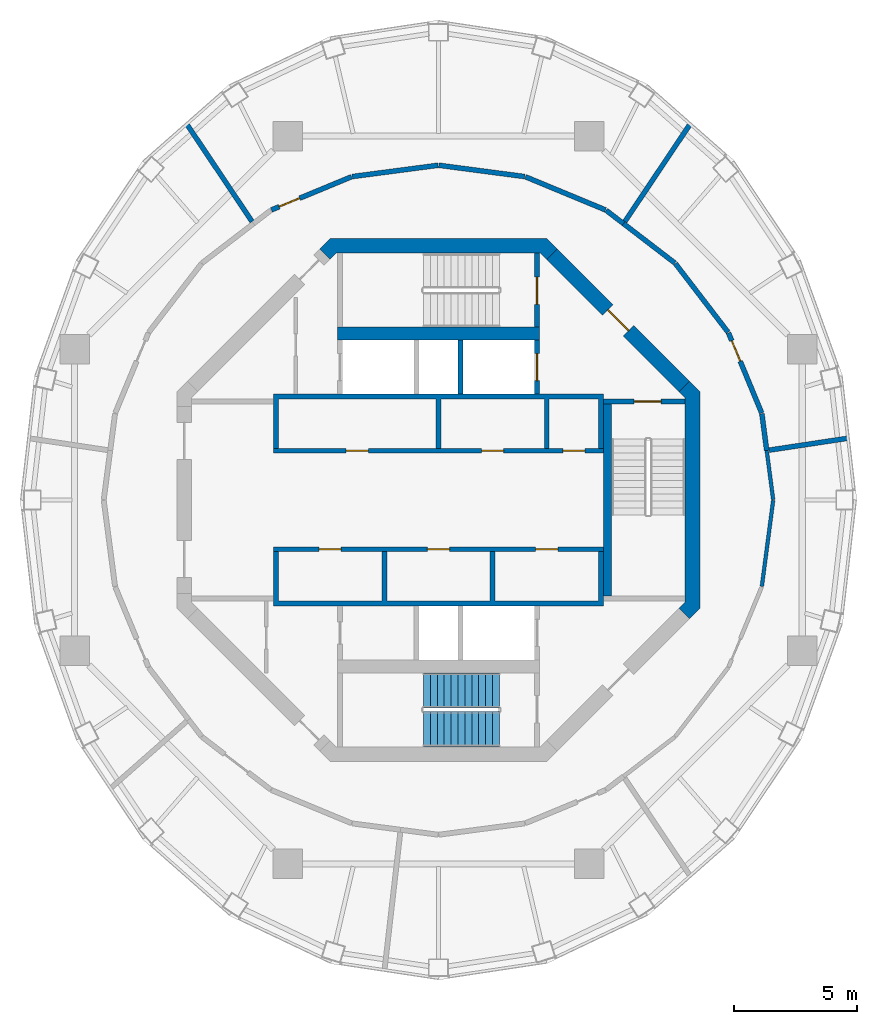
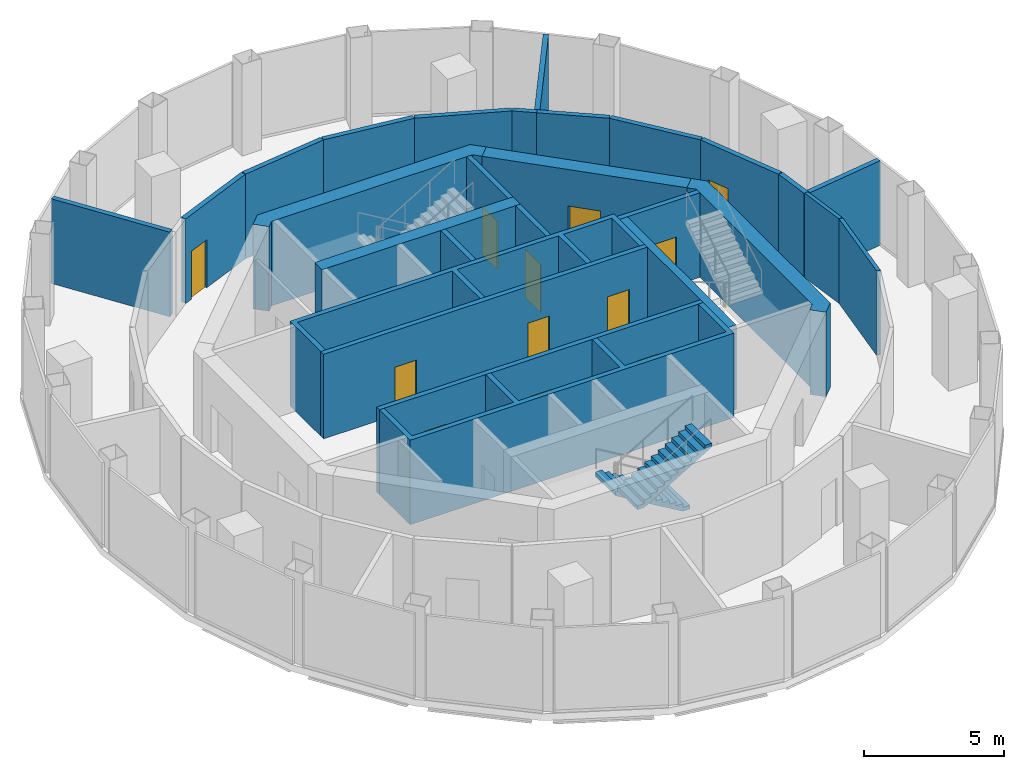
# One storey, part 9 of 11: 27 walls, 12 doors, 2 stair flights, 12 openings, 1 element without a shape of its own.
"""IFC4 building model written with IfcOpenShell, lengths in metres."""

from ifc_helpers import new_model, si_unit, direction, frame, frame_2d, origin, place, context, subcontext, project, spatial, polyline, rectangle, outline, extrude, material, layer, layer_set, type_object, element, fill, aggregate, save


model = new_model("IFC4")

# Units and contexts
model_context = context("Model", 3, precision=1e-05, world=origin(), true_north=direction((0.0, 1.0)))
body_context = subcontext(model_context, "Body", "Model", "MODEL_VIEW")
ifc_project = project(units=[si_unit("LENGTHUNIT", "METRE"), si_unit("AREAUNIT", "SQUARE_METRE"), si_unit("VOLUMEUNIT", "CUBIC_METRE"), si_unit("PLANEANGLEUNIT", "RADIAN"), si_unit("MASSUNIT", "GRAM", prefix="KILO")], contexts=[model_context])

# Site, building, storey
site_placement = place(None, origin())
site = spatial("IfcSite", under=ifc_project, at=site_placement, CompositionType="ELEMENT")
building_placement = place(site_placement, origin())
building = spatial("IfcBuilding", under=site, at=building_placement, Name="Nagisa Residences", CompositionType="ELEMENT")
storey_placement = place(building_placement, frame((0.0, 0.0, 336.89990234375)))
storey = spatial("IfcBuildingStorey", under=building, at=storey_placement, Name="L83", CompositionType="ELEMENT", Elevation=336.89990234375)

# Wall, opening, door
ifc_material_1 = material(Name="Concrete C60", Category="concrete")
ifc_layer_1 = layer(ifc_material_1, 0.60009765625)
ifc_layer_set_1 = layer_set([ifc_layer_1], Name="Core shear wall 600")
wall_type_1 = type_object("IfcWallType", Name="Core shear wall 600", PredefinedType="SHEAR", material=ifc_layer_set_1)
wall_1_placement = place(storey_placement, frame((9.98828125, 4.613037109375, 0.0), z_axis=(0.0, 0.0, 1.0), x_axis=(-0.707106781187, 0.707106781187, 0.0)))
wall_1 = element("IfcWall", 1, at=wall_1_placement, inside=storey, type_object=wall_type_1, Name="wall:L83:core:flat1", PredefinedType="SHEAR", context=body_context, shape_type="SweptSolid", body=[
    extrude(rectangle(XDim=7.601806640625, YDim=0.60009765625, at=frame_2d((3.80078125, 0.0))), origin(), (0.0, 0.0, 1.0), 3.7001953125),
])
opening_1_placement = place(wall_1_placement, frame((3.200927734375, 0.0, 0.0)))
opening_1 = element("IfcOpeningElement", 2, at=opening_1_placement, cuts=wall_1, Name="Opening L83-C16", PredefinedType="OPENING", context=body_context, shape_type="SweptSolid", body=[
    extrude(rectangle(XDim=1.199951171875, YDim=2.10009765625, at=frame_2d((0.60009765625, 1.050048828125))), frame((0.0, 0.31005859375, 0.0), z_axis=(0.0, -1.0, 0.0), x_axis=(1.0, 0.0, 0.0)), (0.0, 0.0, 1.0), 0.6201171875),
])
ifc_material_2 = material(Name="Steel fire door", Category="steel")
door_type_1 = type_object("IfcDoorType", Name="Fire door EI60 1200x2100 single swing", OperationType="NOTDEFINED", PredefinedType="DOOR", material=ifc_material_2)
door_1_placement = place(opening_1_placement, origin())
door_1 = element("IfcDoor", 3, at=door_1_placement, inside=storey, type_object=door_type_1, Name="Firefighting lobby 1 door L83", OperationType="SINGLE_SWING_RIGHT", OverallHeight=2.10009765625, OverallWidth=1.199951171875, PredefinedType="DOOR", context=body_context, shape_type="SweptSolid", body=[
    extrude(rectangle(XDim=1.199951171875, YDim=2.10009765625, at=frame_2d((0.60009765625, 1.050048828125))), frame((0.0, 0.02490234375, 0.0), z_axis=(0.0, -1.0, 0.0), x_axis=(1.0, 0.0, 0.0)), (0.0, 0.0, 1.0), 0.050048828125),
])
fill(opening_1, door_1)

# Walls
wall_2_placement = place(storey_placement, origin())
element("IfcWall", 4, at=wall_2_placement, inside=storey, type_object=wall_type_1, Name="wall:L83:core:flat2", PredefinedType="SHEAR", context=body_context, shape_type="SweptSolid", body=[
    extrude(outline(polyline([(-4.15234375, 10.024658203125), (-4.40087890625, 9.776123046875), (-4.8251953125, 10.200439453125), (-4.40087890625, 10.62451171875), (4.40087890625, 10.62451171875), (4.8251953125, 10.200439453125), (4.40087890625, 9.776123046875), (4.15234375, 10.024658203125), (-4.15234375, 10.024658203125)])), origin(), (0.0, 0.0, 1.0), 3.7001953125),
])
wall_3_placement = place(storey_placement, origin())
element("IfcWall", 5, at=wall_3_placement, inside=storey, type_object=wall_type_1, Name="wall:L83:core:flat0", PredefinedType="SHEAR", context=body_context, shape_type="SweptSolid", body=[
    extrude(outline(polyline([(9.776123046875, -4.40087890625), (10.024658203125, -4.15234375), (10.024658203125, -3.801025390625), (10.024658203125, 4.15234375), (9.776123046875, 4.40087890625), (10.200439453125, 4.8251953125), (10.62451171875, 4.40087890625), (10.62451171875, -4.40087890625), (10.200439453125, -4.8251953125), (9.776123046875, -4.40087890625)])), origin(), (0.0, 0.0, 1.0), 3.7001953125),
])

# Wall, opening, door
ifc_material_3 = material(Name="Concrete C60", Category="concrete")
ifc_layer_2 = layer(ifc_material_3, 0.199951171875)
ifc_layer_set_2 = layer_set([ifc_layer_2], Name="Lift shaft wall 200")
wall_type_2 = type_object("IfcWallType", Name="Lift shaft wall 200", PredefinedType="SOLIDWALL", material=ifc_layer_set_2)
wall_4_placement = place(storey_placement, frame((4.0, 4.300048828125, 0.0), z_axis=(0.0, 0.0, 1.0), x_axis=(0.0, 1.0, 0.0)))
wall_4 = element("IfcWall", 6, at=wall_4_placement, inside=storey, type_object=wall_type_2, Name="wall:L83:Nb3", PredefinedType="SOLIDWALL", context=body_context, shape_type="SweptSolid", body=[
    extrude(rectangle(XDim=2.199951171875, YDim=0.199951171875, at=frame_2d((1.10009765625, 0.0))), origin(), (0.0, 0.0, 1.0), 3.7001953125),
])
opening_2_placement = place(wall_4_placement, frame((0.550048828125, 0.0, 0.0)))
opening_2 = element("IfcOpeningElement", 7, at=opening_2_placement, cuts=wall_4, Name="Opening L83-C01", PredefinedType="OPENING", context=body_context, shape_type="SweptSolid", body=[
    extrude(rectangle(XDim=1.10009765625, YDim=2.10009765625, at=frame_2d((0.550048828125, 1.050048828125))), frame((0.0, 0.10986328125, 0.0), z_axis=(0.0, -1.0, 0.0), x_axis=(1.0, 0.0, 0.0)), (0.0, 0.0, 1.0), 0.219970703125),
])
ifc_material_4 = material(Name="Stainless steel", Category="steel")
door_type_2 = type_object("IfcDoorType", Name="Lift landing door 1100x2100", OperationType="DOUBLE_DOOR_SLIDING", PredefinedType="DOOR", material=ifc_material_4)
door_2_placement = place(opening_2_placement, origin())
door_2 = element("IfcDoor", 8, at=door_2_placement, inside=storey, type_object=door_type_2, Name="Landing door FL1 L83", OperationType="DOUBLE_DOOR_SLIDING", OverallHeight=2.10009765625, OverallWidth=1.10009765625, PredefinedType="DOOR", context=body_context, shape_type="SweptSolid", body=[
    extrude(rectangle(XDim=1.10009765625, YDim=2.10009765625, at=frame_2d((0.550048828125, 1.050048828125))), frame((0.0, 0.02490234375, 0.0), z_axis=(0.0, -1.0, 0.0), x_axis=(1.0, 0.0, 0.0)), (0.0, 0.0, 1.0), 0.050048828125),
])
fill(opening_2, door_2)

# Wall, openings, doors
wall_5_placement = place(storey_placement, frame((-6.699951171875, 2.0, 0.0), z_axis=(0.0, 0.0, 1.0), x_axis=(1.0, 0.0, 0.0)))
wall_5 = element("IfcWall", 9, at=wall_5_placement, inside=storey, type_object=wall_type_2, Name="wall:L83:Nfront", PredefinedType="SOLIDWALL", context=body_context, shape_type="SweptSolid", body=[
    extrude(rectangle(XDim=13.39990234375, YDim=0.199951171875, at=frame_2d((6.699951171875, 0.0))), origin(), (0.0, 0.0, 1.0), 3.7001953125),
])
opening_3_placement = place(wall_5_placement, frame((2.949951171875, 0.0, 0.0)))
opening_3 = element("IfcOpeningElement", 10, at=opening_3_placement, cuts=wall_5, Name="Opening L83-C10", PredefinedType="OPENING", context=body_context, shape_type="SweptSolid", body=[
    extrude(rectangle(XDim=0.89990234375, YDim=2.10009765625, at=frame_2d((0.449951171875, 1.050048828125))), frame((0.0, 0.10986328125, 0.0), z_axis=(0.0, -1.0, 0.0), x_axis=(1.0, 0.0, 0.0)), (0.0, 0.0, 1.0), 0.219970703125),
])
opening_4_placement = place(wall_5_placement, frame((8.449951171875, 0.0, 0.0)))
opening_4 = element("IfcOpeningElement", 11, at=opening_4_placement, cuts=wall_5, Name="Opening L83-C11", PredefinedType="OPENING", context=body_context, shape_type="SweptSolid", body=[
    extrude(rectangle(XDim=0.89990234375, YDim=2.10009765625, at=frame_2d((0.449951171875, 1.050048828125))), frame((0.0, 0.10986328125, 0.0), z_axis=(0.0, -1.0, 0.0), x_axis=(1.0, 0.0, 0.0)), (0.0, 0.0, 1.0), 0.219970703125),
])
opening_5_placement = place(wall_5_placement, frame((11.75, 0.0, 0.0)))
opening_5 = element("IfcOpeningElement", 12, at=opening_5_placement, cuts=wall_5, Name="Opening L83-C12", PredefinedType="OPENING", context=body_context, shape_type="SweptSolid", body=[
    extrude(rectangle(XDim=0.89990234375, YDim=2.10009765625, at=frame_2d((0.449951171875, 1.050048828125))), frame((0.0, 0.10986328125, 0.0), z_axis=(0.0, -1.0, 0.0), x_axis=(1.0, 0.0, 0.0)), (0.0, 0.0, 1.0), 0.219970703125),
])
ifc_material_5 = material(Name="Steel fire door", Category="steel")
door_type_3 = type_object("IfcDoorType", Name="Fire door EI30 900x2100 single swing", OperationType="NOTDEFINED", PredefinedType="DOOR", material=ifc_material_5)
door_3_placement = place(opening_3_placement, origin())
door_3 = element("IfcDoor", 13, at=door_3_placement, inside=storey, type_object=door_type_3, Name="Pump store door L83", OperationType="SINGLE_SWING_RIGHT", OverallHeight=2.10009765625, OverallWidth=0.89990234375, PredefinedType="DOOR", context=body_context, shape_type="SweptSolid", body=[
    extrude(rectangle(XDim=0.89990234375, YDim=2.10009765625, at=frame_2d((0.449951171875, 1.050048828125))), frame((0.0, 0.02490234375, 0.0), z_axis=(0.0, -1.0, 0.0), x_axis=(1.0, 0.0, 0.0)), (0.0, 0.0, 1.0), 0.050048828125),
])
fill(opening_3, door_3)
door_4_placement = place(opening_4_placement, origin())
door_4 = element("IfcDoor", 14, at=door_4_placement, inside=storey, type_object=door_type_3, Name="Battery room door L83", OperationType="SINGLE_SWING_RIGHT", OverallHeight=2.10009765625, OverallWidth=0.89990234375, PredefinedType="DOOR", context=body_context, shape_type="SweptSolid", body=[
    extrude(rectangle(XDim=0.89990234375, YDim=2.10009765625, at=frame_2d((0.449951171875, 1.050048828125))), frame((0.0, 0.02490234375, 0.0), z_axis=(0.0, -1.0, 0.0), x_axis=(1.0, 0.0, 0.0)), (0.0, 0.0, 1.0), 0.050048828125),
])
fill(opening_4, door_4)
door_5_placement = place(opening_5_placement, origin())
door_5 = element("IfcDoor", 15, at=door_5_placement, inside=storey, type_object=door_type_3, Name="Pump store door L83", OperationType="SINGLE_SWING_LEFT", OverallHeight=2.10009765625, OverallWidth=0.89990234375, PredefinedType="DOOR", context=body_context, shape_type="SweptSolid", body=[
    extrude(rectangle(XDim=0.89990234375, YDim=2.10009765625, at=frame_2d((0.449951171875, 1.050048828125))), frame((0.0, 0.02490234375, 0.0), z_axis=(0.0, -1.0, 0.0), x_axis=(1.0, 0.0, 0.0)), (0.0, 0.0, 1.0), 0.050048828125),
])
fill(opening_5, door_5)

wall_6_placement = place(storey_placement, frame((-6.699951171875, -2.0, 0.0), z_axis=(0.0, 0.0, 1.0), x_axis=(1.0, 0.0, 0.0)))
wall_6 = element("IfcWall", 16, at=wall_6_placement, inside=storey, type_object=wall_type_2, Name="wall:L83:Sfront", PredefinedType="SOLIDWALL", context=body_context, shape_type="SweptSolid", body=[
    extrude(rectangle(XDim=13.39990234375, YDim=0.199951171875, at=frame_2d((6.699951171875, 0.0))), origin(), (0.0, 0.0, 1.0), 3.7001953125),
])
opening_6_placement = place(wall_6_placement, frame((1.85009765625, 0.0, 0.0)))
opening_6 = element("IfcOpeningElement", 17, at=opening_6_placement, cuts=wall_6, Name="Opening L83-C13", PredefinedType="OPENING", context=body_context, shape_type="SweptSolid", body=[
    extrude(rectangle(XDim=0.89990234375, YDim=2.10009765625, at=frame_2d((0.449951171875, 1.050048828125))), frame((0.0, 0.10986328125, 0.0), z_axis=(0.0, -1.0, 0.0), x_axis=(1.0, 0.0, 0.0)), (0.0, 0.0, 1.0), 0.219970703125),
])
opening_7_placement = place(wall_6_placement, frame((6.25, 0.0, 0.0)))
opening_7 = element("IfcOpeningElement", 18, at=opening_7_placement, cuts=wall_6, Name="Opening L83-C14", PredefinedType="OPENING", context=body_context, shape_type="SweptSolid", body=[
    extrude(rectangle(XDim=0.89990234375, YDim=2.10009765625, at=frame_2d((0.449951171875, 1.050048828125))), frame((0.0, 0.10986328125, 0.0), z_axis=(0.0, -1.0, 0.0), x_axis=(1.0, 0.0, 0.0)), (0.0, 0.0, 1.0), 0.219970703125),
])
opening_8_placement = place(wall_6_placement, frame((10.64990234375, 0.0, 0.0)))
opening_8 = element("IfcOpeningElement", 19, at=opening_8_placement, cuts=wall_6, Name="Opening L83-C15", PredefinedType="OPENING", context=body_context, shape_type="SweptSolid", body=[
    extrude(rectangle(XDim=0.89990234375, YDim=2.10009765625, at=frame_2d((0.449951171875, 1.050048828125))), frame((0.0, 0.10986328125, 0.0), z_axis=(0.0, -1.0, 0.0), x_axis=(1.0, 0.0, 0.0)), (0.0, 0.0, 1.0), 0.219970703125),
])
door_6_placement = place(opening_6_placement, frame((0.89990234375, 0.0, 0.0), x_axis=(-1.0, 0.0, 0.0)))
door_6 = element("IfcDoor", 20, at=door_6_placement, inside=storey, type_object=door_type_3, Name="Battery room door L83", OperationType="SINGLE_SWING_LEFT", OverallHeight=2.10009765625, OverallWidth=0.89990234375, PredefinedType="DOOR", context=body_context, shape_type="SweptSolid", body=[
    extrude(rectangle(XDim=0.89990234375, YDim=2.10009765625, at=frame_2d((0.449951171875, 1.050048828125))), frame((0.0, 0.02490234375, 0.0), z_axis=(0.0, -1.0, 0.0), x_axis=(1.0, 0.0, 0.0)), (0.0, 0.0, 1.0), 0.050048828125),
])
fill(opening_6, door_6)
door_7_placement = place(opening_7_placement, frame((0.89990234375, 0.0, 0.0), x_axis=(-1.0, 0.0, 0.0)))
door_7 = element("IfcDoor", 21, at=door_7_placement, inside=storey, type_object=door_type_3, Name="Pump store door L83", OperationType="SINGLE_SWING_LEFT", OverallHeight=2.10009765625, OverallWidth=0.89990234375, PredefinedType="DOOR", context=body_context, shape_type="SweptSolid", body=[
    extrude(rectangle(XDim=0.89990234375, YDim=2.10009765625, at=frame_2d((0.449951171875, 1.050048828125))), frame((0.0, 0.02490234375, 0.0), z_axis=(0.0, -1.0, 0.0), x_axis=(1.0, 0.0, 0.0)), (0.0, 0.0, 1.0), 0.050048828125),
])
fill(opening_7, door_7)
door_8_placement = place(opening_8_placement, frame((0.89990234375, 0.0, 0.0), x_axis=(-1.0, 0.0, 0.0)))
door_8 = element("IfcDoor", 22, at=door_8_placement, inside=storey, type_object=door_type_3, Name="Battery room door L83", OperationType="SINGLE_SWING_RIGHT", OverallHeight=2.10009765625, OverallWidth=0.89990234375, PredefinedType="DOOR", context=body_context, shape_type="SweptSolid", body=[
    extrude(rectangle(XDim=0.89990234375, YDim=2.10009765625, at=frame_2d((0.449951171875, 1.050048828125))), frame((0.0, 0.02490234375, 0.0), z_axis=(0.0, -1.0, 0.0), x_axis=(1.0, 0.0, 0.0)), (0.0, 0.0, 1.0), 0.050048828125),
])
fill(opening_8, door_8)

# Walls
wall_7_placement = place(storey_placement, origin())
element("IfcWall", 23, at=wall_7_placement, inside=storey, type_object=wall_type_2, Name="wall:L83:Sback", PredefinedType="SOLIDWALL", context=body_context, shape_type="SweptSolid", body=[
    extrude(outline(polyline([(-6.699951171875, -2.10009765625), (-6.5, -2.10009765625), (-6.5, -4.10009765625), (-2.300048828125, -4.10009765625), (-2.300048828125, -2.10009765625), (-2.10009765625, -2.10009765625), (-2.10009765625, -4.10009765625), (2.10009765625, -4.10009765625), (2.10009765625, -2.10009765625), (2.300048828125, -2.10009765625), (2.300048828125, -4.10009765625), (6.5, -4.10009765625), (6.5, -2.10009765625), (6.699951171875, -2.10009765625), (6.699951171875, -4.300048828125), (-6.699951171875, -4.300048828125), (-6.699951171875, -2.10009765625)])), origin(), (0.0, 0.0, 1.0), 3.7001953125),
])
wall_8_placement = place(storey_placement, frame((0.89990234375, 4.300048828125, 0.0), z_axis=(0.0, 0.0, 1.0), x_axis=(0.0, 1.0, 0.0)))
element("IfcWall", 24, at=wall_8_placement, inside=storey, type_object=wall_type_2, Name="wall:L83:Nb2", PredefinedType="SOLIDWALL", context=body_context, shape_type="SweptSolid", body=[
    extrude(rectangle(XDim=2.199951171875, YDim=0.199951171875, at=frame_2d((1.10009765625, 0.0))), origin(), (0.0, 0.0, 1.0), 3.7001953125),
])
wall_9_placement = place(storey_placement, origin())
element("IfcWall", 25, at=wall_9_placement, inside=storey, type_object=wall_type_2, Name="wall:L83:Nback", PredefinedType="SOLIDWALL", context=body_context, shape_type="SweptSolid", body=[
    extrude(outline(polyline([(-6.699951171875, 4.300048828125), (6.699951171875, 4.300048828125), (6.699951171875, 2.10009765625), (6.5, 2.10009765625), (6.5, 4.10009765625), (4.5, 4.10009765625), (4.5, 2.10009765625), (4.300048828125, 2.10009765625), (4.300048828125, 4.10009765625), (0.10009765625, 4.10009765625), (0.10009765625, 2.10009765625), (-0.10009765625, 2.10009765625), (-0.10009765625, 4.10009765625), (-6.5, 4.10009765625), (-6.5, 2.10009765625), (-6.699951171875, 2.10009765625), (-6.699951171875, 4.300048828125)])), origin(), (0.0, 0.0, 1.0), 3.7001953125),
])
ifc_material_6 = material(Name="Gypsum board on steel studs", Category="steel")
ifc_layer_3 = layer(ifc_material_6, 0.199951171875)
ifc_layer_set_3 = layer_set([ifc_layer_3], Name="Plant room wall EI120 200")
wall_type_3 = type_object("IfcWallType", Name="Plant room wall EI120 200", PredefinedType="PARTITIONING", material=ifc_layer_set_3)
wall_10_placement = place(storey_placement, frame((-7.572265625, 11.311279296875, 0.0), z_axis=(0.0, 0.0, 1.0), x_axis=(-0.55629198168, 0.830986901893, 0.0)))
element("IfcWall", 26, at=wall_10_placement, inside=storey, type_object=wall_type_3, Name="wall:L83:am016", PredefinedType="PARTITIONING", context=body_context, shape_type="SweptSolid", body=[
    extrude(rectangle(XDim=4.73974609375, YDim=0.199951171875, at=frame_2d((2.369873046875, 0.0))), origin(), (0.0, 0.0, 1.0), 3.7001953125),
])

# Wall, opening, door
wall_11_placement = place(storey_placement, frame((-6.785888671875, 11.78369140625, 0.0), z_axis=(0.0, 0.0, 1.0), x_axis=(0.92386297064, 0.382723413813, 0.0)))
wall_11 = element("IfcWall", 27, at=wall_11_placement, inside=storey, type_object=wall_type_3, Name="wall:L83:am019", PredefinedType="PARTITIONING", context=body_context, shape_type="SweptSolid", body=[
    extrude(rectangle(XDim=3.52001953125, YDim=0.199951171875, at=frame_2d((1.760009765625, 0.0))), origin(), (0.0, 0.0, 1.0), 3.7001953125),
])
opening_9_placement = place(wall_11_placement, frame((0.34228515625, 0.0, 0.0)))
opening_9 = element("IfcOpeningElement", 28, at=opening_9_placement, cuts=wall_11, Name="Opening L83-A02", PredefinedType="OPENING", context=body_context, shape_type="SweptSolid", body=[
    extrude(rectangle(XDim=0.89990234375, YDim=2.10009765625, at=frame_2d((0.449951171875, 1.050048828125))), frame((0.0, 0.10986328125, 0.0), z_axis=(0.0, -1.0, 0.0), x_axis=(1.0, 0.0, 0.0)), (0.0, 0.0, 1.0), 0.219970703125),
])
ifc_material_7 = material(Name="Steel fire door", Category="steel")
door_type_4 = type_object("IfcDoorType", Name="Fire door EI120 900x2100 single swing", OperationType="NOTDEFINED", PredefinedType="DOOR", material=ifc_material_7)
door_9_placement = place(opening_9_placement, origin())
door_9 = element("IfcDoor", 29, at=door_9_placement, inside=storey, type_object=door_type_4, Name="Rainwater tank room door", OperationType="SINGLE_SWING_RIGHT", OverallHeight=2.10009765625, OverallWidth=0.89990234375, PredefinedType="DOOR", context=body_context, shape_type="SweptSolid", body=[
    extrude(rectangle(XDim=0.89990234375, YDim=2.10009765625, at=frame_2d((0.449951171875, 1.050048828125))), frame((0.0, 0.02490234375, 0.0), z_axis=(0.0, -1.0, 0.0), x_axis=(1.0, 0.0, 0.0)), (0.0, 0.0, 1.0), 0.050048828125),
])
fill(opening_9, door_9)

# Walls
for number, where, z_axis, x_axis, name in (
    (30, (-3.5048828125, 13.138671875, 0.0), (0.0, 0.0, 1.0), (0.991452406768, 0.130468866457, 0.0), "wall:L83:am021"),
    (31, (0.01513671875, 13.597900390625, 0.0), (0.0, 0.0, 1.0), (0.991452406768, -0.130468866457, 0.0), "wall:L83:am025"),
):
    element("IfcWall", number, at=place(storey_placement, frame(where, z_axis=z_axis, x_axis=x_axis)), inside=storey, type_object=wall_type_3, Name=name, PredefinedType="PARTITIONING", context=body_context, shape_type="SweptSolid", body=[
        extrude(rectangle(XDim=3.519775390625, YDim=0.199951171875, at=frame_2d((1.759765625, 0.0))), origin(), (0.0, 0.0, 1.0), 3.7001953125),
    ])
wall_12_placement = place(storey_placement, frame((3.533935546875, 13.130859375, 0.0), z_axis=(0.0, 0.0, 1.0), x_axis=(0.92386297064, -0.382723413813, 0.0)))
element("IfcWall", 32, at=wall_12_placement, inside=storey, type_object=wall_type_3, Name="wall:L83:am027", PredefinedType="PARTITIONING", context=body_context, shape_type="SweptSolid", body=[
    extrude(rectangle(XDim=3.52001953125, YDim=0.199951171875, at=frame_2d((1.760009765625, 0.0))), origin(), (0.0, 0.0, 1.0), 3.7001953125),
])
wall_13_placement = place(storey_placement, frame((6.81201171875, 11.7685546875, 0.0), z_axis=(0.0, 0.0, 1.0), x_axis=(0.793420478802, -0.608673922407, 0.0)))
element("IfcWall", 33, at=wall_13_placement, inside=storey, type_object=wall_type_3, Name="wall:L83:am029", PredefinedType="PARTITIONING", context=body_context, shape_type="SweptSolid", body=[
    extrude(rectangle(XDim=0.887939453125, YDim=0.199951171875, at=frame_2d((0.44384765625, 0.0))), origin(), (0.0, 0.0, 1.0), 3.7001953125),
])
wall_14_placement = place(storey_placement, frame((7.5166015625, 11.22802734375, 0.0), z_axis=(0.0, 0.0, 1.0), x_axis=(0.793395797287, -0.608706093979, 0.0)))
element("IfcWall", 34, at=wall_14_placement, inside=storey, type_object=wall_type_3, Name="wall:L83:am031", PredefinedType="PARTITIONING", context=body_context, shape_type="SweptSolid", body=[
    extrude(rectangle(XDim=2.6318359375, YDim=0.199951171875, at=frame_2d((1.31591796875, 0.0))), origin(), (0.0, 0.0, 1.0), 3.7001953125),
])
wall_15_placement = place(storey_placement, frame((7.572265625, 11.311279296875, 0.0), z_axis=(0.0, 0.0, 1.0), x_axis=(0.55629198168, 0.830986901893, 0.0)))
element("IfcWall", 35, at=wall_15_placement, inside=storey, type_object=wall_type_3, Name="wall:L83:am032", PredefinedType="PARTITIONING", context=body_context, shape_type="SweptSolid", body=[
    extrude(rectangle(XDim=4.73974609375, YDim=0.199951171875, at=frame_2d((2.369873046875, 0.0))), origin(), (0.0, 0.0, 1.0), 3.7001953125),
])
wall_16_placement = place(storey_placement, frame((9.6259765625, 9.604736328125, 0.0), z_axis=(0.0, 0.0, 1.0), x_axis=(0.608697977542, -0.793402024283, 0.0)))
element("IfcWall", 36, at=wall_16_placement, inside=storey, type_object=wall_type_3, Name="wall:L83:am033", PredefinedType="PARTITIONING", context=body_context, shape_type="SweptSolid", body=[
    extrude(rectangle(XDim=3.52001953125, YDim=0.199951171875, at=frame_2d((1.760009765625, 0.0))), origin(), (0.0, 0.0, 1.0), 3.7001953125),
])

# Wall, opening, door
wall_17_placement = place(storey_placement, frame((11.78369140625, 6.785888671875, 0.0), z_axis=(0.0, 0.0, 1.0), x_axis=(0.382723413813, -0.92386297064, 0.0)))
wall_17 = element("IfcWall", 37, at=wall_17_placement, inside=storey, type_object=wall_type_3, Name="wall:L83:am035", PredefinedType="PARTITIONING", context=body_context, shape_type="SweptSolid", body=[
    extrude(rectangle(XDim=3.52001953125, YDim=0.199951171875, at=frame_2d((1.760009765625, 0.0))), origin(), (0.0, 0.0, 1.0), 3.7001953125),
])
opening_10_placement = place(wall_17_placement, frame((0.34228515625, 0.0, 0.0)))
opening_10 = element("IfcOpeningElement", 38, at=opening_10_placement, cuts=wall_17, Name="Opening L83-A01", PredefinedType="OPENING", context=body_context, shape_type="SweptSolid", body=[
    extrude(rectangle(XDim=0.89990234375, YDim=2.10009765625, at=frame_2d((0.449951171875, 1.050048828125))), frame((0.0, 0.10986328125, 0.0), z_axis=(0.0, -1.0, 0.0), x_axis=(1.0, 0.0, 0.0)), (0.0, 0.0, 1.0), 0.219970703125),
])
door_10_placement = place(opening_10_placement, origin())
door_10 = element("IfcDoor", 39, at=door_10_placement, inside=storey, type_object=door_type_4, Name="Make-up air plant room door", OperationType="SINGLE_SWING_LEFT", OverallHeight=2.10009765625, OverallWidth=0.89990234375, PredefinedType="DOOR", context=body_context, shape_type="SweptSolid", body=[
    extrude(rectangle(XDim=0.89990234375, YDim=2.10009765625, at=frame_2d((0.449951171875, 1.050048828125))), frame((0.0, 0.02490234375, 0.0), z_axis=(0.0, -1.0, 0.0), x_axis=(1.0, 0.0, 0.0)), (0.0, 0.0, 1.0), 0.050048828125),
])
fill(opening_10, door_10)

# Walls
wall_18_placement = place(storey_placement, frame((13.138671875, 3.5048828125, 0.0), z_axis=(0.0, 0.0, 1.0), x_axis=(0.130391662061, -0.99146256332, 0.0)))
element("IfcWall", 40, at=wall_18_placement, inside=storey, type_object=wall_type_3, Name="wall:L83:am036", PredefinedType="PARTITIONING", context=body_context, shape_type="SweptSolid", body=[
    extrude(rectangle(XDim=1.50732421875, YDim=0.199951171875, at=frame_2d((0.753662109375, 0.0))), origin(), (0.0, 0.0, 1.0), 3.7001953125),
])
wall_19_placement = place(storey_placement, frame((13.43408203125, 2.025390625, 0.0), z_axis=(0.0, 0.0, 1.0), x_axis=(0.988817905908, 0.149127961685, 0.0)))
element("IfcWall", 41, at=wall_19_placement, inside=storey, type_object=wall_type_3, Name="wall:L83:am037", PredefinedType="PARTITIONING", context=body_context, shape_type="SweptSolid", body=[
    extrude(rectangle(XDim=3.213623046875, YDim=0.199951171875, at=frame_2d((1.60693359375, 0.0))), origin(), (0.0, 0.0, 1.0), 3.7001953125),
])
ifc_material_8 = material(Name="Gypsum board on steel studs", Category="steel")
ifc_layer_4 = layer(ifc_material_8, 0.14990234375)
ifc_layer_set_4 = layer_set([ifc_layer_4], Name="Room partition EI60 150")
wall_type_4 = type_object("IfcWallType", Name="Room partition EI60 150", PredefinedType="PARTITIONING", material=ifc_layer_set_4)
wall_20_placement = place(storey_placement, frame((13.335205078125, 2.010498046875, 0.0), z_axis=(0.0, 0.0, 1.0), x_axis=(0.130545357325, -0.991442338051, 0.0)))
element("IfcWall", 42, at=wall_20_placement, inside=storey, type_object=wall_type_4, Name="wall:L83:am003", PredefinedType="PARTITIONING", context=body_context, shape_type="SweptSolid", body=[
    extrude(rectangle(XDim=2.01611328125, YDim=0.14990234375, at=frame_2d((1.008056640625, 0.0))), origin(), (0.0, 0.0, 1.0), 3.7001953125),
])
wall_21_placement = place(storey_placement, frame((13.598388671875, -0.01171875, 0.0), z_axis=(0.0, 0.0, 1.0), x_axis=(-0.130499283623, -0.991448403586, 0.0)))
element("IfcWall", 43, at=wall_21_placement, inside=storey, type_object=wall_type_4, Name="wall:L83:am004", PredefinedType="PARTITIONING", context=body_context, shape_type="SweptSolid", body=[
    extrude(rectangle(XDim=3.526611328125, YDim=0.14990234375, at=frame_2d((1.76318359375, 0.0))), origin(), (0.0, 0.0, 1.0), 3.7001953125),
])

# Wall, opening, door
ifc_material_9 = material(Name="Concrete C60", Category="concrete")
ifc_layer_5 = layer(ifc_material_9, 0.199951171875)
ifc_layer_set_5 = layer_set([ifc_layer_5], Name="Stair enclosure wall 200")
wall_type_5 = type_object("IfcWallType", Name="Stair enclosure wall 200", PredefinedType="SOLIDWALL", material=ifc_layer_set_5)
wall_22_placement = place(storey_placement, frame((6.699951171875, 4.0, 0.0), z_axis=(0.0, 0.0, 1.0), x_axis=(1.0, 0.0, 0.0)))
wall_22 = element("IfcWall", 44, at=wall_22_placement, inside=storey, type_object=wall_type_5, Name="wall:L83:SE_n", PredefinedType="SOLIDWALL", context=body_context, shape_type="SweptSolid", body=[
    extrude(rectangle(XDim=3.32470703125, YDim=0.199951171875, at=frame_2d((1.662353515625, 0.0))), origin(), (0.0, 0.0, 1.0), 3.7001953125),
])
opening_11_placement = place(wall_22_placement, frame((1.25, 0.0, 0.0)))
opening_11 = element("IfcOpeningElement", 45, at=opening_11_placement, cuts=wall_22, Name="Opening L83-C04", PredefinedType="OPENING", context=body_context, shape_type="SweptSolid", body=[
    extrude(rectangle(XDim=1.10009765625, YDim=2.10009765625, at=frame_2d((0.550048828125, 1.050048828125))), frame((0.0, 0.10986328125, 0.0), z_axis=(0.0, -1.0, 0.0), x_axis=(1.0, 0.0, 0.0)), (0.0, 0.0, 1.0), 0.219970703125),
])
ifc_material_10 = material(Name="Steel fire door", Category="steel")
door_type_5 = type_object("IfcDoorType", Name="Fire door EI90 1100x2100 single swing", OperationType="NOTDEFINED", PredefinedType="DOOR", material=ifc_material_10)
door_11_placement = place(opening_11_placement, frame((1.10009765625, 0.0, 0.0), x_axis=(-1.0, 0.0, 0.0)))
door_11 = element("IfcDoor", 46, at=door_11_placement, inside=storey, type_object=door_type_5, Name="Stair door ST-E L83", OperationType="SINGLE_SWING_LEFT", OverallHeight=2.10009765625, OverallWidth=1.10009765625, PredefinedType="DOOR", context=body_context, shape_type="SweptSolid", body=[
    extrude(rectangle(XDim=1.10009765625, YDim=2.10009765625, at=frame_2d((0.550048828125, 1.050048828125))), frame((0.0, 0.02490234375, 0.0), z_axis=(0.0, -1.0, 0.0), x_axis=(1.0, 0.0, 0.0)), (0.0, 0.0, 1.0), 0.050048828125),
])
fill(opening_11, door_11)

wall_23_placement = place(storey_placement, frame((4.0, 7.024658203125, 0.0), z_axis=(0.0, 0.0, 1.0), x_axis=(0.0, 1.0, 0.0)))
wall_23 = element("IfcWall", 47, at=wall_23_placement, inside=storey, type_object=wall_type_5, Name="wall:L83:SN_e", PredefinedType="SOLIDWALL", context=body_context, shape_type="SweptSolid", body=[
    extrude(rectangle(XDim=3.0, YDim=0.199951171875, at=frame_2d((1.5, 0.0))), origin(), (0.0, 0.0, 1.0), 3.7001953125),
])
opening_12_placement = place(wall_23_placement, frame((0.92529296875, 0.0, 0.0)))
opening_12 = element("IfcOpeningElement", 48, at=opening_12_placement, cuts=wall_23, Name="Opening L83-C05", PredefinedType="OPENING", context=body_context, shape_type="SweptSolid", body=[
    extrude(rectangle(XDim=1.10009765625, YDim=2.10009765625, at=frame_2d((0.550048828125, 1.050048828125))), frame((0.0, 0.10986328125, 0.0), z_axis=(0.0, -1.0, 0.0), x_axis=(1.0, 0.0, 0.0)), (0.0, 0.0, 1.0), 0.219970703125),
])
door_12_placement = place(opening_12_placement, origin())
door_12 = element("IfcDoor", 49, at=door_12_placement, inside=storey, type_object=door_type_5, Name="Stair door ST-N L83", OperationType="SINGLE_SWING_RIGHT", OverallHeight=2.10009765625, OverallWidth=1.10009765625, PredefinedType="DOOR", context=body_context, shape_type="SweptSolid", body=[
    extrude(rectangle(XDim=1.10009765625, YDim=2.10009765625, at=frame_2d((0.550048828125, 1.050048828125))), frame((0.0, 0.02490234375, 0.0), z_axis=(0.0, -1.0, 0.0), x_axis=(1.0, 0.0, 0.0)), (0.0, 0.0, 1.0), 0.050048828125),
])
fill(opening_12, door_12)

# Walls
wall_24_placement = place(storey_placement, origin())
element("IfcWall", 50, at=wall_24_placement, inside=storey, type_object=wall_type_5, Name="wall:L83:SN_s", PredefinedType="SOLIDWALL", context=body_context, shape_type="SweptSolid", body=[
    extrude(outline(polyline([(4.10009765625, 6.5), (-4.10009765625, 6.5), (-4.10009765625, 7.024658203125), (4.10009765625, 7.024658203125), (4.10009765625, 6.5)])), origin(), (0.0, 0.0, 1.0), 3.7001953125),
])
wall_25_placement = place(storey_placement, origin())
element("IfcWall", 51, at=wall_25_placement, inside=storey, type_object=wall_type_5, Name="wall:L83:SE_w", PredefinedType="SOLIDWALL", context=body_context, shape_type="SweptSolid", body=[
    extrude(outline(polyline([(7.024658203125, -3.89990234375), (6.699951171875, -3.89990234375), (6.699951171875, 3.89990234375), (7.024658203125, 3.89990234375), (7.024658203125, -3.89990234375)])), origin(), (0.0, 0.0, 1.0), 3.7001953125),
])

# Stair, stair flights
ifc_material_11 = material(Name="Concrete C60", Category="concrete")
stair_type = type_object("IfcStairType", Name="Exit stair", PredefinedType="HALF_TURN_STAIR", material=ifc_material_11)
stair_placement = place(storey_placement, origin())
stair = element("IfcStair", 52, at=stair_placement, inside=storey, type_object=stair_type, Name="L83 Exit stair S", PredefinedType="HALF_TURN_STAIR")
ifc_material_12 = material(Name="Concrete C60", Category="concrete")
stair_flight_type = type_object("IfcStairFlightType", Name="Exit stair flight", PredefinedType="STRAIGHT", material=ifc_material_12)
stair_flight_1_placement = place(storey_placement, frame((2.47509765625, -7.737060546875, 0.0), z_axis=(0.0, 0.0, 1.0), x_axis=(-1.0, 0.0, 0.0)))
stair_flight_1 = element("IfcStairFlight", 53, at=stair_flight_1_placement, type_object=stair_flight_type, Name="ST-S flight 1", NumberOfRisers=12, NumberOfTreads=11, PredefinedType="STRAIGHT", RiserHeight=0.166666667, TreadLength=0.28, context=body_context, shape_type="SweptSolid", body=[
    extrude(outline(polyline([(0.0, 0.0), (0.0, 0.166748046875), (0.280029296875, 0.166748046875), (0.280029296875, 0.333251953125), (0.56005859375, 0.333251953125), (0.56005859375, 0.5), (0.840087890625, 0.5), (0.840087890625, 0.666748046875), (1.1201171875, 0.666748046875), (1.1201171875, 0.833251953125), (1.39990234375, 0.833251953125), (1.39990234375, 1.0), (1.679931640625, 1.0), (1.679931640625, 1.166748046875), (1.9599609375, 1.166748046875), (1.9599609375, 1.333251953125), (2.239990234375, 1.333251953125), (2.239990234375, 1.5), (2.52001953125, 1.5), (2.52001953125, 1.666748046875), (2.800048828125, 1.666748046875), (2.800048828125, 1.833251953125), (3.080078125, 1.833251953125), (3.080078125, 2.0), (3.080078125, 1.658935546875), (0.29296875, 0.0), (0.0, 0.0)])), frame((0.0, 0.71240234375, 0.0), z_axis=(0.0, -1.0, 0.0), x_axis=(1.0, 0.0, 0.0)), (0.0, 0.0, 1.0), 1.425048828125),
])
stair_flight_2_placement = place(storey_placement, frame((-0.60498046875, -9.31201171875, 2.0), z_axis=(0.0, 0.0, 1.0), x_axis=(1.0, 0.0, 0.0)))
stair_flight_2 = element("IfcStairFlight", 54, at=stair_flight_2_placement, type_object=stair_flight_type, Name="ST-S flight 2", NumberOfRisers=12, NumberOfTreads=11, PredefinedType="STRAIGHT", RiserHeight=0.166666667, TreadLength=0.28, context=body_context, shape_type="SweptSolid", body=[
    extrude(outline(polyline([(0.0, 0.0), (0.0, 0.166748046875), (0.280029296875, 0.166748046875), (0.280029296875, 0.333251953125), (0.56005859375, 0.333251953125), (0.56005859375, 0.5), (0.840087890625, 0.5), (0.840087890625, 0.666748046875), (1.1201171875, 0.666748046875), (1.1201171875, 0.833251953125), (1.39990234375, 0.833251953125), (1.39990234375, 1.0), (1.679931640625, 1.0), (1.679931640625, 1.166748046875), (1.9599609375, 1.166748046875), (1.9599609375, 1.333251953125), (2.239990234375, 1.333251953125), (2.239990234375, 1.5), (2.52001953125, 1.5), (2.52001953125, 1.666748046875), (2.800048828125, 1.666748046875), (2.800048828125, 1.833251953125), (3.080078125, 1.833251953125), (3.080078125, 2.0), (3.080078125, 1.658935546875), (0.29296875, 0.0), (0.0, 0.0)])), frame((0.0, 0.71240234375, 0.0), z_axis=(0.0, -1.0, 0.0), x_axis=(1.0, 0.0, 0.0)), (0.0, 0.0, 1.0), 1.425048828125),
])
aggregate(stair, [stair_flight_1, stair_flight_2])

save(model, "model.ifc")
